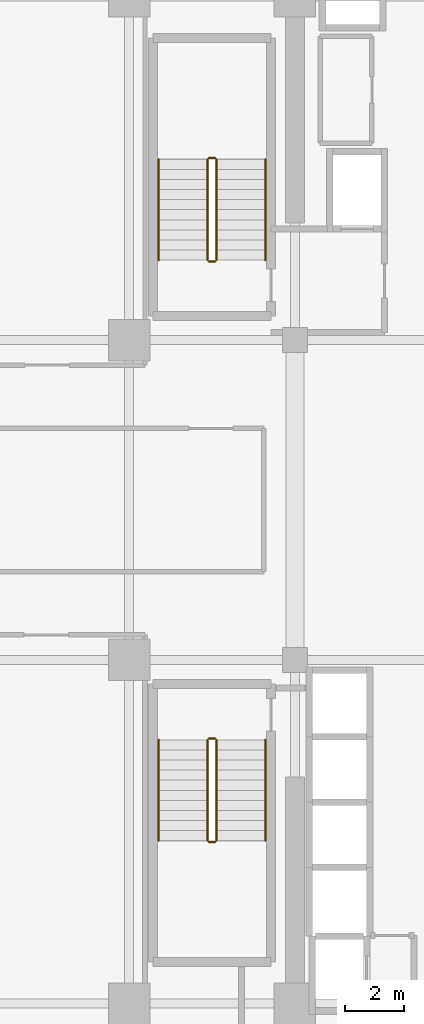
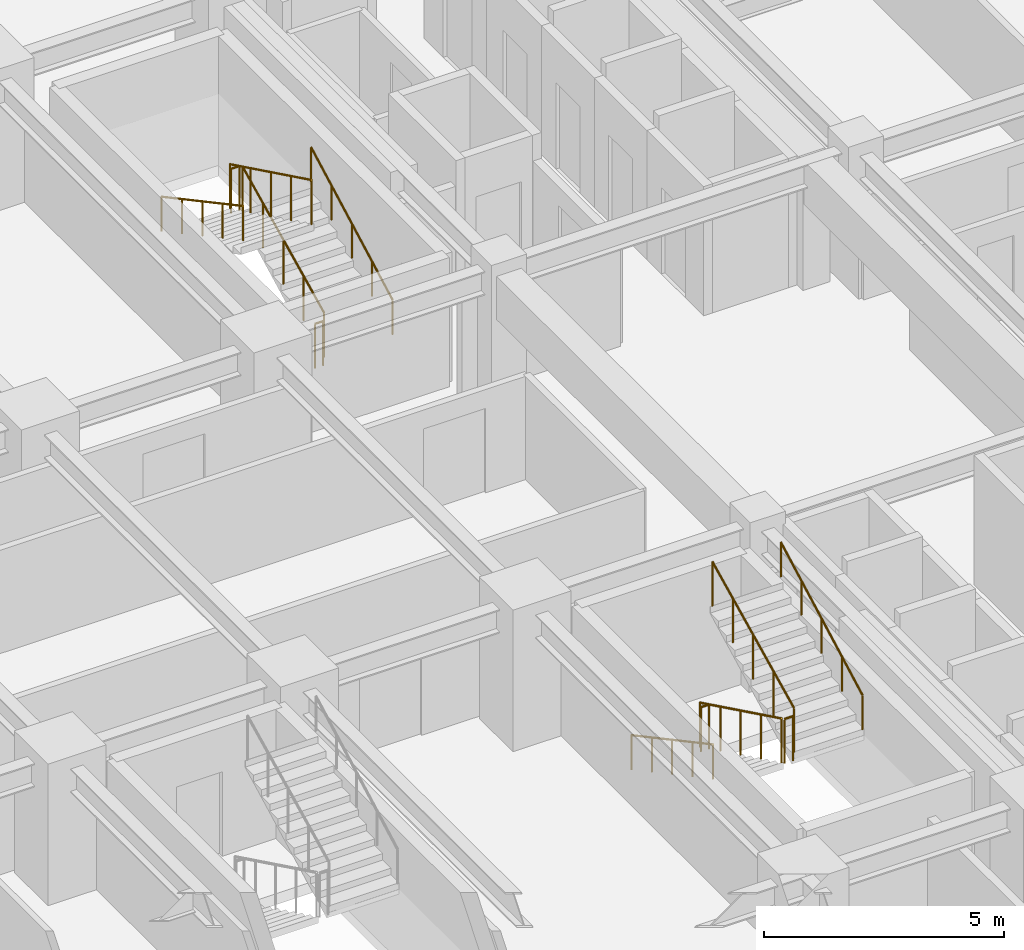
# One storey, part 34 of 35: 12 railings.
"""IFC4 building model written with IfcOpenShell, lengths in metres."""

from ifc_helpers import new_model, si_unit, direction, frame, origin, origin_2d, place, context, subcontext, project, spatial, circle, extrude, material, type_object, element, save


model = new_model("IFC4")

# Units and contexts
model_context = context("Model", 3, precision=1e-05, world=origin(), true_north=direction((0.0, 1.0)))
body_context = subcontext(model_context, "Body", "Model", "MODEL_VIEW")
ifc_project = project(units=[si_unit("LENGTHUNIT", "METRE"), si_unit("AREAUNIT", "SQUARE_METRE"), si_unit("VOLUMEUNIT", "CUBIC_METRE"), si_unit("PLANEANGLEUNIT", "RADIAN"), si_unit("MASSUNIT", "GRAM", prefix="KILO")], contexts=[model_context])

# Site, building, storey
site_placement = place(None, origin())
site = spatial("IfcSite", under=ifc_project, at=site_placement, CompositionType="ELEMENT")
building_placement = place(site_placement, origin())
building = spatial("IfcBuilding", under=site, at=building_placement, Name="Nahalor Promenade Grand Hotel", CompositionType="ELEMENT")
storey_placement = place(building_placement, frame((0.0, 0.0, 79.85009765625)))
storey = spatial("IfcBuildingStorey", under=building, at=storey_placement, Name="L19", CompositionType="ELEMENT", Elevation=79.85009765625)

# Railings
ifc_material = material(Name="Steel S355JR", Category="steel")
railing_type_1 = type_object("IfcRailingType", Name="Steel Stair Guardrail 1150 mm", PredefinedType="GUARDRAIL", material=ifc_material)
railing_1_placement = place(storey_placement, frame((5.75, 8.10009765625, 0.165771484375)))
element("IfcRailing", 1, at=railing_1_placement, inside=storey, type_object=railing_type_1, Name="L19 ST1 stair guard 1", PredefinedType="GUARDRAIL", context=body_context, shape_type="SweptSolid", body=[
    extrude(circle(Radius=0.024048, at=origin_2d()), frame((0.0, 0.0, 1.1259765625), z_axis=(0.0, 0.898696488221, 0.438571114028), x_axis=(-1.0, 0.0, 0.0)), (0.0, 0.0, 1.0), 3.783203125),
    extrude(circle(Radius=0.020996, at=origin_2d()), origin(), (0.0, 0.0, 1.0), 1.099853515625),
    extrude(circle(Radius=0.020996, at=origin_2d()), frame((0.0, 0.85009765625, 0.414794921875)), (0.0, 0.0, 1.0), 1.099853515625),
    extrude(circle(Radius=0.020996, at=origin_2d()), frame((0.0, 1.699951171875, 0.82958984375)), (0.0, 0.0, 1.0), 1.099853515625),
    extrude(circle(Radius=0.020996, at=origin_2d()), frame((0.0, 2.5498046875, 1.244384765625)), (0.0, 0.0, 1.0), 1.099853515625),
    extrude(circle(Radius=0.020996, at=origin_2d()), frame((0.0, 3.39990234375, 1.6591796875)), (0.0, 0.0, 1.0), 1.099853515625),
])
railing_2_placement = place(storey_placement, frame((5.699951171875, 11.550048828125, 1.824951171875)))
element("IfcRailing", 2, at=railing_2_placement, inside=storey, type_object=railing_type_1, Name="L19 ST1 stair guard 2", PredefinedType="GUARDRAIL", context=body_context, shape_type="SweptSolid", body=[
    extrude(circle(Radius=0.024048, at=origin_2d()), frame((0.0, 0.0, 1.1259765625), z_axis=(-1.0, 0.0, 0.0), x_axis=(0.0, -1.0, 0.0)), (0.0, 0.0, 1.0), 0.199951171875),
    extrude(circle(Radius=0.020996, at=origin_2d()), origin(), (0.0, 0.0, 1.0), 1.099853515625),
    extrude(circle(Radius=0.020996, at=origin_2d()), frame((-0.199951171875, 0.0, 0.0)), (0.0, 0.0, 1.0), 1.099853515625),
])
railing_3_placement = place(storey_placement, frame((5.449951171875, 11.5, 1.99072265625)))
element("IfcRailing", 3, at=railing_3_placement, inside=storey, type_object=railing_type_1, Name="L19 ST1 stair guard 3", PredefinedType="GUARDRAIL", context=body_context, shape_type="SweptSolid", body=[
    extrude(circle(Radius=0.024048, at=origin_2d()), frame((0.0, 0.0, 1.1259765625), z_axis=(0.0, -0.898696488221, 0.438571114028), x_axis=(1.0, 0.0, 0.0)), (0.0, 0.0, 1.0), 3.783203125),
    extrude(circle(Radius=0.020996, at=origin_2d()), origin(), (0.0, 0.0, 1.0), 1.099853515625),
    extrude(circle(Radius=0.020996, at=origin_2d()), frame((0.0, -0.85009765625, 0.414794921875)), (0.0, 0.0, 1.0), 1.099853515625),
    extrude(circle(Radius=0.020996, at=origin_2d()), frame((0.0, -1.699951171875, 0.82958984375)), (0.0, 0.0, 1.0), 1.099853515625),
    extrude(circle(Radius=0.020996, at=origin_2d()), frame((0.0, -2.5498046875, 1.244384765625)), (0.0, 0.0, 1.0), 1.099853515625),
    extrude(circle(Radius=0.020996, at=origin_2d()), frame((0.0, -3.39990234375, 1.6591796875)), (0.0, 0.0, 1.0), 1.099853515625),
])
railing_4_placement = place(storey_placement, frame((5.699951171875, 8.050048828125, 0.0)))
element("IfcRailing", 4, at=railing_4_placement, inside=storey, type_object=railing_type_1, Name="L19 ST1 stair guard 4", PredefinedType="GUARDRAIL", context=body_context, shape_type="SweptSolid", body=[
    extrude(circle(Radius=0.024048, at=origin_2d()), frame((0.0, 0.0, 1.1259765625), z_axis=(-1.0, 0.0, 0.0), x_axis=(0.0, -1.0, 0.0)), (0.0, 0.0, 1.0), 0.199951171875),
    extrude(circle(Radius=0.020996, at=origin_2d()), origin(), (0.0, 0.0, 1.0), 1.099853515625),
    extrude(circle(Radius=0.020996, at=origin_2d()), frame((-0.199951171875, 0.0, 0.0)), (0.0, 0.0, 1.0), 1.099853515625),
])
railing_5_placement = place(storey_placement, frame((5.449951171875, -8.10009765625, 0.165771484375)))
element("IfcRailing", 5, at=railing_5_placement, inside=storey, type_object=railing_type_1, Name="L19 ST2 stair guard 1", PredefinedType="GUARDRAIL", context=body_context, shape_type="SweptSolid", body=[
    extrude(circle(Radius=0.024048, at=origin_2d()), frame((0.0, 0.0, 1.1259765625), z_axis=(0.0, -0.898696488221, 0.438571114028), x_axis=(1.0, 0.0, 0.0)), (0.0, 0.0, 1.0), 3.783203125),
    extrude(circle(Radius=0.020996, at=origin_2d()), origin(), (0.0, 0.0, 1.0), 1.099853515625),
    extrude(circle(Radius=0.020996, at=origin_2d()), frame((0.0, -0.85009765625, 0.414794921875)), (0.0, 0.0, 1.0), 1.099853515625),
    extrude(circle(Radius=0.020996, at=origin_2d()), frame((0.0, -1.699951171875, 0.82958984375)), (0.0, 0.0, 1.0), 1.099853515625),
    extrude(circle(Radius=0.020996, at=origin_2d()), frame((0.0, -2.5498046875, 1.244384765625)), (0.0, 0.0, 1.0), 1.099853515625),
    extrude(circle(Radius=0.020996, at=origin_2d()), frame((0.0, -3.39990234375, 1.6591796875)), (0.0, 0.0, 1.0), 1.099853515625),
])
railing_6_placement = place(storey_placement, frame((5.5, -11.550048828125, 1.824951171875)))
element("IfcRailing", 6, at=railing_6_placement, inside=storey, type_object=railing_type_1, Name="L19 ST2 stair guard 2", PredefinedType="GUARDRAIL", context=body_context, shape_type="SweptSolid", body=[
    extrude(circle(Radius=0.024048, at=origin_2d()), frame((0.0, 0.0, 1.1259765625), z_axis=(1.0, 0.0, 0.0), x_axis=(0.0, 1.0, 0.0)), (0.0, 0.0, 1.0), 0.199951171875),
    extrude(circle(Radius=0.020996, at=origin_2d()), origin(), (0.0, 0.0, 1.0), 1.099853515625),
    extrude(circle(Radius=0.020996, at=origin_2d()), frame((0.199951171875, 0.0, 0.0)), (0.0, 0.0, 1.0), 1.099853515625),
])
railing_7_placement = place(storey_placement, frame((5.75, -11.5, 1.99072265625)))
element("IfcRailing", 7, at=railing_7_placement, inside=storey, type_object=railing_type_1, Name="L19 ST2 stair guard 3", PredefinedType="GUARDRAIL", context=body_context, shape_type="SweptSolid", body=[
    extrude(circle(Radius=0.024048, at=origin_2d()), frame((0.0, 0.0, 1.1259765625), z_axis=(0.0, 0.898696488221, 0.438571114028), x_axis=(-1.0, 0.0, 0.0)), (0.0, 0.0, 1.0), 3.783203125),
    extrude(circle(Radius=0.020996, at=origin_2d()), origin(), (0.0, 0.0, 1.0), 1.099853515625),
    extrude(circle(Radius=0.020996, at=origin_2d()), frame((0.0, 0.85009765625, 0.414794921875)), (0.0, 0.0, 1.0), 1.099853515625),
    extrude(circle(Radius=0.020996, at=origin_2d()), frame((0.0, 1.699951171875, 0.82958984375)), (0.0, 0.0, 1.0), 1.099853515625),
    extrude(circle(Radius=0.020996, at=origin_2d()), frame((0.0, 2.5498046875, 1.244384765625)), (0.0, 0.0, 1.0), 1.099853515625),
    extrude(circle(Radius=0.020996, at=origin_2d()), frame((0.0, 3.39990234375, 1.6591796875)), (0.0, 0.0, 1.0), 1.099853515625),
])
railing_8_placement = place(storey_placement, frame((5.5, -8.050048828125, 0.0)))
element("IfcRailing", 8, at=railing_8_placement, inside=storey, type_object=railing_type_1, Name="L19 ST2 stair guard 4", PredefinedType="GUARDRAIL", context=body_context, shape_type="SweptSolid", body=[
    extrude(circle(Radius=0.024048, at=origin_2d()), frame((0.0, 0.0, 1.1259765625), z_axis=(1.0, 0.0, 0.0), x_axis=(0.0, 1.0, 0.0)), (0.0, 0.0, 1.0), 0.199951171875),
    extrude(circle(Radius=0.020996, at=origin_2d()), origin(), (0.0, 0.0, 1.0), 1.099853515625),
    extrude(circle(Radius=0.020996, at=origin_2d()), frame((0.199951171875, 0.0, 0.0)), (0.0, 0.0, 1.0), 1.099853515625),
])
railing_type_2 = type_object("IfcRailingType", Name="Steel Stair Handrail 900 mm", PredefinedType="HANDRAIL", material=ifc_material)
railing_9_placement = place(storey_placement, frame((7.39990234375, 8.10009765625, 0.165771484375)))
element("IfcRailing", 9, at=railing_9_placement, inside=storey, type_object=railing_type_2, Name="L19 ST1 stair handrail 1", PredefinedType="HANDRAIL", context=body_context, shape_type="SweptSolid", body=[
    extrude(circle(Radius=0.024048, at=origin_2d()), frame((0.0, 0.0, 0.8759765625), z_axis=(0.0, 0.881094038095, 0.47294111265), x_axis=(-1.0, 0.0, 0.0)), (0.0, 0.0, 1.0), 3.858642578125),
    extrude(circle(Radius=0.020996, at=origin_2d()), origin(), (0.0, 0.0, 1.0), 0.849853515625),
    extrude(circle(Radius=0.020996, at=origin_2d()), frame((0.0, 0.85009765625, 0.456298828125)), (0.0, 0.0, 1.0), 0.849853515625),
    extrude(circle(Radius=0.020996, at=origin_2d()), frame((0.0, 1.699951171875, 0.91259765625)), (0.0, 0.0, 1.0), 0.849853515625),
    extrude(circle(Radius=0.020996, at=origin_2d()), frame((0.0, 2.5498046875, 1.36865234375)), (0.0, 0.0, 1.0), 0.849853515625),
    extrude(circle(Radius=0.020996, at=origin_2d()), frame((0.0, 3.39990234375, 1.824951171875)), (0.0, 0.0, 1.0), 0.849853515625),
])
railing_10_placement = place(storey_placement, frame((3.800048828125, 11.5, 1.99072265625)))
element("IfcRailing", 10, at=railing_10_placement, inside=storey, type_object=railing_type_2, Name="L19 ST1 stair handrail 2", PredefinedType="HANDRAIL", context=body_context, shape_type="SweptSolid", body=[
    extrude(circle(Radius=0.024048, at=origin_2d()), frame((0.0, 0.0, 0.8759765625), z_axis=(0.0, -0.881067672671, 0.472990228413), x_axis=(1.0, 0.0, 0.0)), (0.0, 0.0, 1.0), 3.85888671875),
    extrude(circle(Radius=0.020996, at=origin_2d()), origin(), (0.0, 0.0, 1.0), 0.849853515625),
    extrude(circle(Radius=0.020996, at=origin_2d()), frame((0.0, -0.85009765625, 0.456298828125)), (0.0, 0.0, 1.0), 0.849853515625),
    extrude(circle(Radius=0.020996, at=origin_2d()), frame((0.0, -1.699951171875, 0.91259765625)), (0.0, 0.0, 1.0), 0.849853515625),
    extrude(circle(Radius=0.020996, at=origin_2d()), frame((0.0, -2.5498046875, 1.368896484375)), (0.0, 0.0, 1.0), 0.849853515625),
    extrude(circle(Radius=0.020996, at=origin_2d()), frame((0.0, -3.39990234375, 1.8251953125)), (0.0, 0.0, 1.0), 0.849853515625),
])
railing_11_placement = place(storey_placement, frame((3.800048828125, -8.10009765625, 0.165771484375)))
element("IfcRailing", 11, at=railing_11_placement, inside=storey, type_object=railing_type_2, Name="L19 ST2 stair handrail 1", PredefinedType="HANDRAIL", context=body_context, shape_type="SweptSolid", body=[
    extrude(circle(Radius=0.024048, at=origin_2d()), frame((0.0, 0.0, 0.8759765625), z_axis=(0.0, -0.881094038095, 0.47294111265), x_axis=(1.0, 0.0, 0.0)), (0.0, 0.0, 1.0), 3.858642578125),
    extrude(circle(Radius=0.020996, at=origin_2d()), origin(), (0.0, 0.0, 1.0), 0.849853515625),
    extrude(circle(Radius=0.020996, at=origin_2d()), frame((0.0, -0.85009765625, 0.456298828125)), (0.0, 0.0, 1.0), 0.849853515625),
    extrude(circle(Radius=0.020996, at=origin_2d()), frame((0.0, -1.699951171875, 0.91259765625)), (0.0, 0.0, 1.0), 0.849853515625),
    extrude(circle(Radius=0.020996, at=origin_2d()), frame((0.0, -2.5498046875, 1.36865234375)), (0.0, 0.0, 1.0), 0.849853515625),
    extrude(circle(Radius=0.020996, at=origin_2d()), frame((0.0, -3.39990234375, 1.824951171875)), (0.0, 0.0, 1.0), 0.849853515625),
])
railing_12_placement = place(storey_placement, frame((7.39990234375, -11.5, 1.99072265625)))
element("IfcRailing", 12, at=railing_12_placement, inside=storey, type_object=railing_type_2, Name="L19 ST2 stair handrail 2", PredefinedType="HANDRAIL", context=body_context, shape_type="SweptSolid", body=[
    extrude(circle(Radius=0.024048, at=origin_2d()), frame((0.0, 0.0, 0.8759765625), z_axis=(0.0, 0.881067672671, 0.472990228413), x_axis=(-1.0, 0.0, 0.0)), (0.0, 0.0, 1.0), 3.85888671875),
    extrude(circle(Radius=0.020996, at=origin_2d()), origin(), (0.0, 0.0, 1.0), 0.849853515625),
    extrude(circle(Radius=0.020996, at=origin_2d()), frame((0.0, 0.85009765625, 0.456298828125)), (0.0, 0.0, 1.0), 0.849853515625),
    extrude(circle(Radius=0.020996, at=origin_2d()), frame((0.0, 1.699951171875, 0.91259765625)), (0.0, 0.0, 1.0), 0.849853515625),
    extrude(circle(Radius=0.020996, at=origin_2d()), frame((0.0, 2.5498046875, 1.368896484375)), (0.0, 0.0, 1.0), 0.849853515625),
    extrude(circle(Radius=0.020996, at=origin_2d()), frame((0.0, 3.39990234375, 1.8251953125)), (0.0, 0.0, 1.0), 0.849853515625),
])

save(model, "model.ifc")
